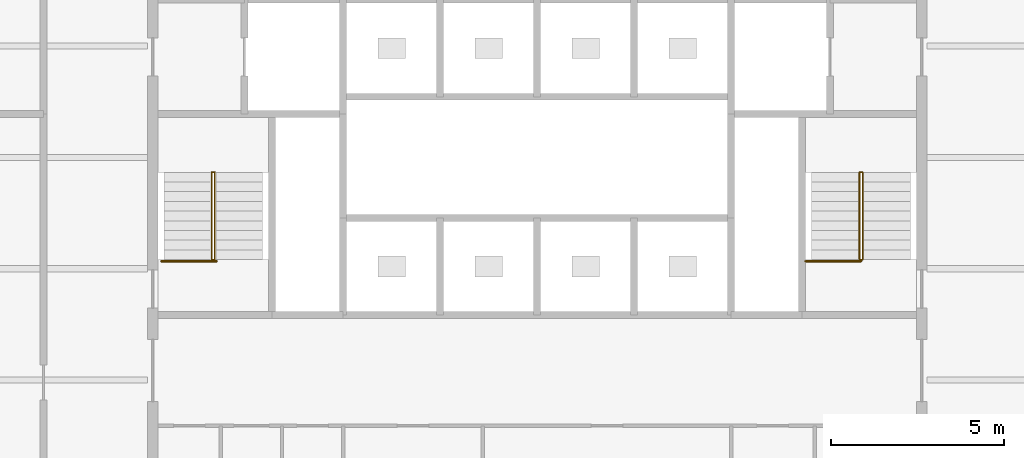
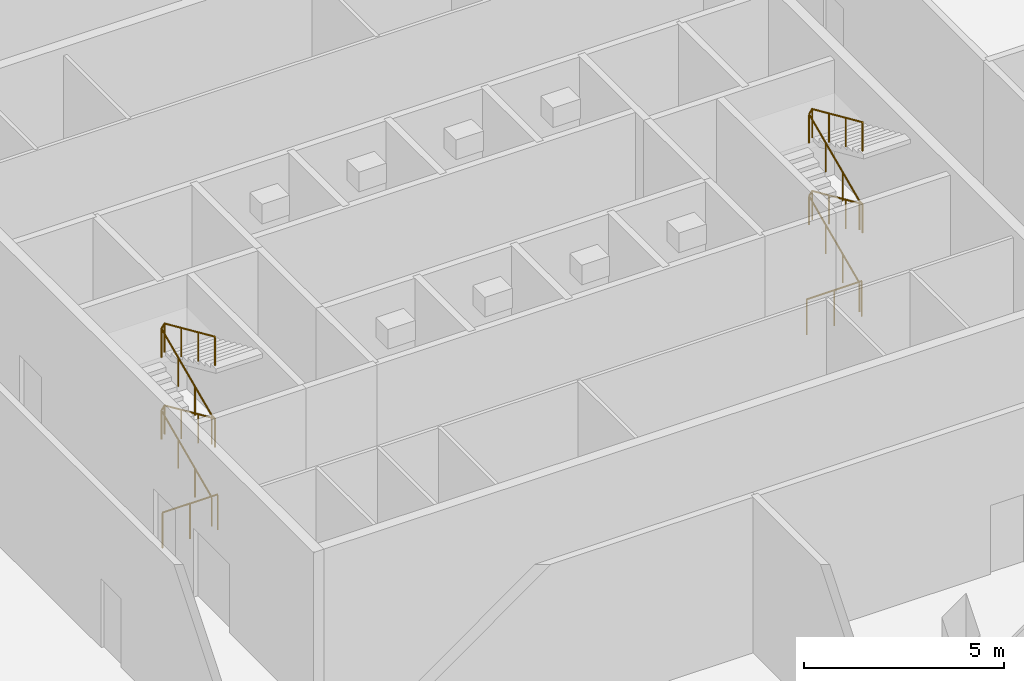
# One storey, part 19 of 19: 4 railings.
"""IFC4 building model written with IfcOpenShell, lengths in metres."""

from ifc_helpers import new_model, si_unit, direction, frame, origin, origin_2d, place, context, subcontext, project, spatial, circle, extrude, material, type_object, element, save


model = new_model("IFC4")

# Units and contexts
model_context = context("Model", 3, precision=1e-05, world=origin(), true_north=direction((0.0, 1.0)))
body_context = subcontext(model_context, "Body", "Model", "MODEL_VIEW")
ifc_project = project(units=[si_unit("LENGTHUNIT", "METRE"), si_unit("AREAUNIT", "SQUARE_METRE"), si_unit("VOLUMEUNIT", "CUBIC_METRE"), si_unit("PLANEANGLEUNIT", "RADIAN"), si_unit("MASSUNIT", "GRAM", prefix="KILO")], contexts=[model_context])

# Site, building, storey
site_placement = place(None, origin())
site = spatial("IfcSite", under=ifc_project, at=site_placement, CompositionType="ELEMENT")
building_placement = place(site_placement, origin())
building = spatial("IfcBuilding", under=site, at=building_placement, Name="Quoin Convention Tower", CompositionType="ELEMENT")
storey_placement = place(building_placement, frame((0.0, 0.0, 263.699951171875)))
storey = spatial("IfcBuildingStorey", under=building, at=storey_placement, Name="L69", CompositionType="ELEMENT", Elevation=263.699951171875)

# Railings
ifc_material = material(Name="Stainless steel", Category="steel")
railing_type_1 = type_object("IfcRailingType", Name="Stair handrail 900", PredefinedType="HANDRAIL", material=ifc_material)
railing_1_placement = place(storey_placement, frame((46.85498046875, 57.800048828125, 0.125)))
element("IfcRailing", 1, at=railing_1_placement, inside=storey, type_object=railing_type_1, Name="SD1 handrail 1", PredefinedType="HANDRAIL", context=body_context, shape_type="SweptSolid", body=[
    extrude(circle(Radius=0.02392578125, at=origin_2d()), frame((0.0, 0.0, 0.8759765625), z_axis=(0.0, 0.913139058521, 0.407648205936), x_axis=(-1.0, 0.0, 0.0)), (0.0, 0.0, 1.0), 2.759765625),
    extrude(circle(Radius=0.02392578125, at=origin_2d()), frame((0.0, 2.52001953125, 2.0009765625), z_axis=(0.584680334893, 0.0, 0.811263770909), x_axis=(0.0, 1.0, 0.0)), (0.0, 0.0, 1.0), 0.154052734375),
    extrude(circle(Radius=0.02392578125, at=origin_2d()), frame((0.090087890625, 2.52001953125, 2.1259765625), z_axis=(0.0, -0.913139058521, 0.407648205936), x_axis=(1.0, 0.0, 0.0)), (0.0, 0.0, 1.0), 2.759765625),
    extrude(circle(Radius=0.02392578125, at=origin_2d()), frame((0.090087890625, 0.0, 3.2509765625), z_axis=(-0.584680334893, 0.0, 0.811263770909), x_axis=(0.0, -1.0, 0.0)), (0.0, 0.0, 1.0), 0.154052734375),
    extrude(circle(Radius=0.02392578125, at=origin_2d()), frame((0.0, 0.0, 3.3759765625), z_axis=(0.0, 0.913139058521, 0.407648205936), x_axis=(-1.0, 0.0, 0.0)), (0.0, 0.0, 1.0), 2.759765625),
    extrude(circle(Radius=0.02392578125, at=origin_2d()), frame((0.0, 2.52001953125, 4.5009765625), z_axis=(0.584680334893, 0.0, 0.811263770909), x_axis=(0.0, 1.0, 0.0)), (0.0, 0.0, 1.0), 0.154052734375),
    extrude(circle(Radius=0.02392578125, at=origin_2d()), frame((0.090087890625, 2.52001953125, 4.6259765625), z_axis=(0.0, -0.913139058521, 0.407648205936), x_axis=(1.0, 0.0, 0.0)), (0.0, 0.0, 1.0), 2.759765625),
    extrude(circle(Radius=0.02099609375, at=origin_2d()), origin(), (0.0, 0.0, 1.0), 0.851806640625),
    extrude(circle(Radius=0.02099609375, at=origin_2d()), frame((0.0, 0.840087890625, 0.375)), (0.0, 0.0, 1.0), 0.851806640625),
    extrude(circle(Radius=0.02099609375, at=origin_2d()), frame((0.0, 1.679931640625, 0.75)), (0.0, 0.0, 1.0), 0.851806640625),
    extrude(circle(Radius=0.02099609375, at=origin_2d()), frame((0.0, 2.52001953125, 1.125)), (0.0, 0.0, 1.0), 0.851806640625),
    extrude(circle(Radius=0.02099609375, at=origin_2d()), frame((0.090087890625, 2.52001953125, 1.25)), (0.0, 0.0, 1.0), 0.851806640625),
    extrude(circle(Radius=0.02099609375, at=origin_2d()), frame((0.090087890625, 1.679931640625, 1.625)), (0.0, 0.0, 1.0), 0.851806640625),
    extrude(circle(Radius=0.02099609375, at=origin_2d()), frame((0.090087890625, 0.840087890625, 2.0)), (0.0, 0.0, 1.0), 0.851806640625),
    extrude(circle(Radius=0.02099609375, at=origin_2d()), frame((0.090087890625, 0.0, 2.375)), (0.0, 0.0, 1.0), 0.851806640625),
    extrude(circle(Radius=0.02099609375, at=origin_2d()), frame((0.0, 0.0, 2.5)), (0.0, 0.0, 1.0), 0.851806640625),
    extrude(circle(Radius=0.02099609375, at=origin_2d()), frame((0.0, 0.840087890625, 2.875)), (0.0, 0.0, 1.0), 0.851806640625),
    extrude(circle(Radius=0.02099609375, at=origin_2d()), frame((0.0, 1.679931640625, 3.25)), (0.0, 0.0, 1.0), 0.851806640625),
    extrude(circle(Radius=0.02099609375, at=origin_2d()), frame((0.0, 2.52001953125, 3.625)), (0.0, 0.0, 1.0), 0.851806640625),
    extrude(circle(Radius=0.02099609375, at=origin_2d()), frame((0.090087890625, 2.52001953125, 3.75)), (0.0, 0.0, 1.0), 0.851806640625),
    extrude(circle(Radius=0.02099609375, at=origin_2d()), frame((0.090087890625, 1.679931640625, 4.125)), (0.0, 0.0, 1.0), 0.851806640625),
    extrude(circle(Radius=0.02099609375, at=origin_2d()), frame((0.090087890625, 0.840087890625, 4.5)), (0.0, 0.0, 1.0), 0.851806640625),
    extrude(circle(Radius=0.02099609375, at=origin_2d()), frame((0.090087890625, 0.0, 4.875)), (0.0, 0.0, 1.0), 0.851806640625),
])
railing_2_placement = place(storey_placement, frame((65.554931640625, 57.800048828125, 0.125)))
element("IfcRailing", 2, at=railing_2_placement, inside=storey, type_object=railing_type_1, Name="SD2 handrail 1", PredefinedType="HANDRAIL", context=body_context, shape_type="SweptSolid", body=[
    extrude(circle(Radius=0.02392578125, at=origin_2d()), frame((0.0, 0.0, 0.8759765625), z_axis=(0.0, 0.913139058521, 0.407648205936), x_axis=(-1.0, 0.0, 0.0)), (0.0, 0.0, 1.0), 2.759765625),
    extrude(circle(Radius=0.02392578125, at=origin_2d()), frame((0.0, 2.52001953125, 2.0009765625), z_axis=(0.584680334893, 0.0, 0.811263770909), x_axis=(0.0, 1.0, 0.0)), (0.0, 0.0, 1.0), 0.154052734375),
    extrude(circle(Radius=0.02392578125, at=origin_2d()), frame((0.090087890625, 2.52001953125, 2.1259765625), z_axis=(0.0, -0.913139058521, 0.407648205936), x_axis=(1.0, 0.0, 0.0)), (0.0, 0.0, 1.0), 2.759765625),
    extrude(circle(Radius=0.02392578125, at=origin_2d()), frame((0.090087890625, 0.0, 3.2509765625), z_axis=(-0.584680334893, 0.0, 0.811263770909), x_axis=(0.0, -1.0, 0.0)), (0.0, 0.0, 1.0), 0.154052734375),
    extrude(circle(Radius=0.02392578125, at=origin_2d()), frame((0.0, 0.0, 3.3759765625), z_axis=(0.0, 0.913139058521, 0.407648205936), x_axis=(-1.0, 0.0, 0.0)), (0.0, 0.0, 1.0), 2.759765625),
    extrude(circle(Radius=0.02392578125, at=origin_2d()), frame((0.0, 2.52001953125, 4.5009765625), z_axis=(0.584680334893, 0.0, 0.811263770909), x_axis=(0.0, 1.0, 0.0)), (0.0, 0.0, 1.0), 0.154052734375),
    extrude(circle(Radius=0.02392578125, at=origin_2d()), frame((0.090087890625, 2.52001953125, 4.6259765625), z_axis=(0.0, -0.913139058521, 0.407648205936), x_axis=(1.0, 0.0, 0.0)), (0.0, 0.0, 1.0), 2.759765625),
    extrude(circle(Radius=0.02099609375, at=origin_2d()), origin(), (0.0, 0.0, 1.0), 0.851806640625),
    extrude(circle(Radius=0.02099609375, at=origin_2d()), frame((0.0, 0.840087890625, 0.375)), (0.0, 0.0, 1.0), 0.851806640625),
    extrude(circle(Radius=0.02099609375, at=origin_2d()), frame((0.0, 1.679931640625, 0.75)), (0.0, 0.0, 1.0), 0.851806640625),
    extrude(circle(Radius=0.02099609375, at=origin_2d()), frame((0.0, 2.52001953125, 1.125)), (0.0, 0.0, 1.0), 0.851806640625),
    extrude(circle(Radius=0.02099609375, at=origin_2d()), frame((0.090087890625, 2.52001953125, 1.25)), (0.0, 0.0, 1.0), 0.851806640625),
    extrude(circle(Radius=0.02099609375, at=origin_2d()), frame((0.090087890625, 1.679931640625, 1.625)), (0.0, 0.0, 1.0), 0.851806640625),
    extrude(circle(Radius=0.02099609375, at=origin_2d()), frame((0.090087890625, 0.840087890625, 2.0)), (0.0, 0.0, 1.0), 0.851806640625),
    extrude(circle(Radius=0.02099609375, at=origin_2d()), frame((0.090087890625, 0.0, 2.375)), (0.0, 0.0, 1.0), 0.851806640625),
    extrude(circle(Radius=0.02099609375, at=origin_2d()), frame((0.0, 0.0, 2.5)), (0.0, 0.0, 1.0), 0.851806640625),
    extrude(circle(Radius=0.02099609375, at=origin_2d()), frame((0.0, 0.840087890625, 2.875)), (0.0, 0.0, 1.0), 0.851806640625),
    extrude(circle(Radius=0.02099609375, at=origin_2d()), frame((0.0, 1.679931640625, 3.25)), (0.0, 0.0, 1.0), 0.851806640625),
    extrude(circle(Radius=0.02099609375, at=origin_2d()), frame((0.0, 2.52001953125, 3.625)), (0.0, 0.0, 1.0), 0.851806640625),
    extrude(circle(Radius=0.02099609375, at=origin_2d()), frame((0.090087890625, 2.52001953125, 3.75)), (0.0, 0.0, 1.0), 0.851806640625),
    extrude(circle(Radius=0.02099609375, at=origin_2d()), frame((0.090087890625, 1.679931640625, 4.125)), (0.0, 0.0, 1.0), 0.851806640625),
    extrude(circle(Radius=0.02099609375, at=origin_2d()), frame((0.090087890625, 0.840087890625, 4.5)), (0.0, 0.0, 1.0), 0.851806640625),
    extrude(circle(Radius=0.02099609375, at=origin_2d()), frame((0.090087890625, 0.0, 4.875)), (0.0, 0.0, 1.0), 0.851806640625),
])
railing_type_2 = type_object("IfcRailingType", Name="Stair top guard 1100", PredefinedType="GUARDRAIL", material=ifc_material)
railing_3_placement = place(storey_placement, frame((45.39990234375, 57.75, 0.0)))
element("IfcRailing", 3, at=railing_3_placement, inside=storey, type_object=railing_type_2, Name="SD1 top guard", PredefinedType="GUARDRAIL", context=body_context, shape_type="SweptSolid", body=[
    extrude(circle(Radius=0.02392578125, at=origin_2d()), frame((0.0, 0.0, 1.076171875), z_axis=(1.0, 0.0, 0.0), x_axis=(0.0, 1.0, 0.0)), (0.0, 0.0, 1.0), 1.59521484375),
    extrude(circle(Radius=0.02099609375, at=origin_2d()), origin(), (0.0, 0.0, 1.0), 1.052001953125),
    extrude(circle(Radius=0.02099609375, at=origin_2d()), frame((0.797607421875, 0.0, 0.0)), (0.0, 0.0, 1.0), 1.052001953125),
    extrude(circle(Radius=0.02099609375, at=origin_2d()), frame((1.59521484375, 0.0, 0.0)), (0.0, 0.0, 1.0), 1.052001953125),
])
railing_4_placement = place(storey_placement, frame((64.0, 57.75, 0.0)))
element("IfcRailing", 4, at=railing_4_placement, inside=storey, type_object=railing_type_2, Name="SD2 top guard", PredefinedType="GUARDRAIL", context=body_context, shape_type="SweptSolid", body=[
    extrude(circle(Radius=0.02392578125, at=origin_2d()), frame((0.0, 0.0, 1.076171875), z_axis=(1.0, 0.0, 0.0), x_axis=(0.0, 1.0, 0.0)), (0.0, 0.0, 1.0), 1.594970703125),
    extrude(circle(Radius=0.02099609375, at=origin_2d()), origin(), (0.0, 0.0, 1.0), 1.052001953125),
    extrude(circle(Radius=0.02099609375, at=origin_2d()), frame((0.79736328125, 0.0, 0.0)), (0.0, 0.0, 1.0), 1.052001953125),
    extrude(circle(Radius=0.02099609375, at=origin_2d()), frame((1.594970703125, 0.0, 0.0)), (0.0, 0.0, 1.0), 1.052001953125),
])

save(model, "model.ifc")
